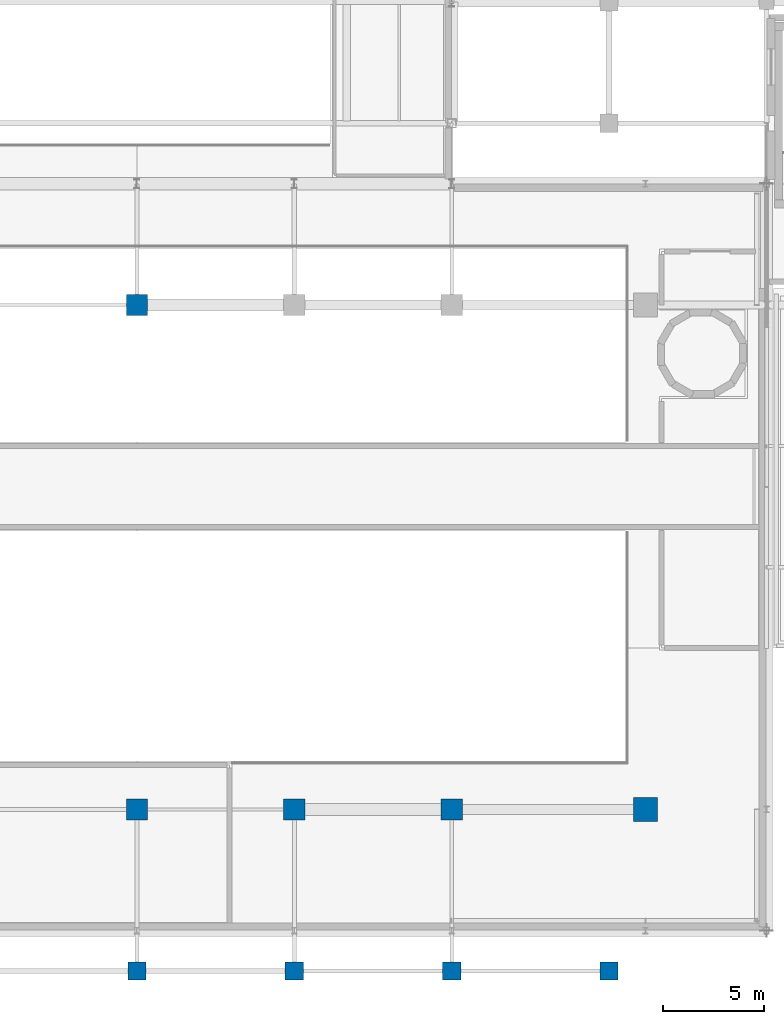
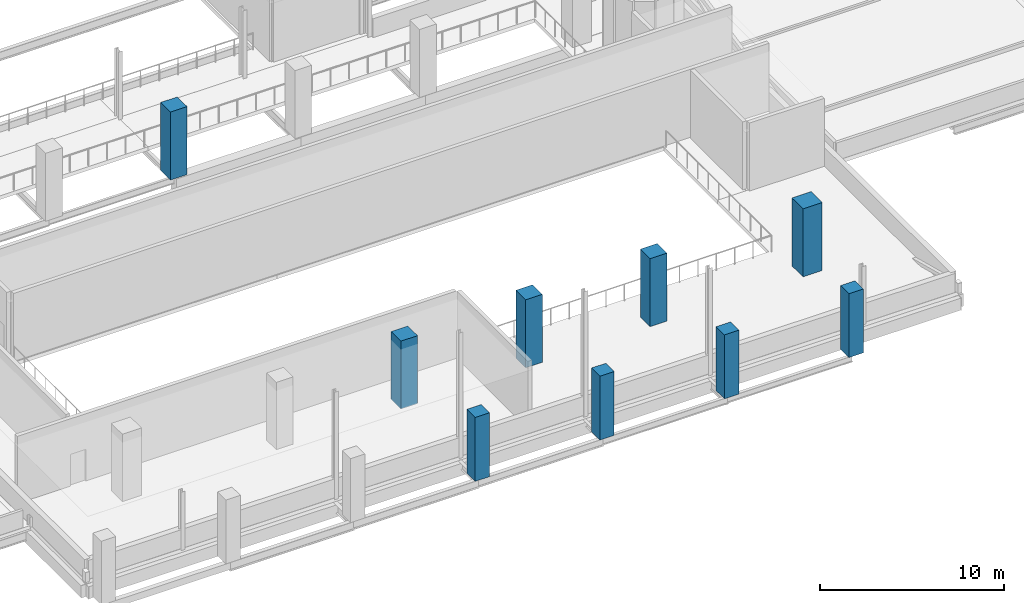
# One storey, part 4 of 85: 9 columns.
"""IFC4 building model written with IfcOpenShell, lengths in metres."""

from ifc_helpers import new_model, si_unit, derived_unit, direction, frame, origin, origin_2d, place, context, subcontext, project, spatial, rectangle, extrude, material, material_profile, profile_set, type_object, element, save


model = new_model("IFC4")

# Units and contexts
model_context = context("Model", 3, precision=1e-05, world=origin(), true_north=direction((0.0, 1.0)))
body_context = subcontext(model_context, "Body", "Model", "MODEL_VIEW")
ifc_project = project(units=[si_unit("LENGTHUNIT", "METRE"), si_unit("AREAUNIT", "SQUARE_METRE"), si_unit("VOLUMEUNIT", "CUBIC_METRE"), si_unit("PLANEANGLEUNIT", "RADIAN"), si_unit("MASSUNIT", "GRAM", prefix="KILO"), derived_unit("THERMALTRANSMITTANCEUNIT", [(si_unit("POWERUNIT", "WATT"), 1), (si_unit("LENGTHUNIT", "METRE"), -2), (si_unit("THERMODYNAMICTEMPERATUREUNIT", "KELVIN"), -1)])], contexts=[model_context])

# Site, building, storey
site_placement = place(None, origin())
site = spatial("IfcSite", under=ifc_project, at=site_placement, CompositionType="ELEMENT")
building_placement = place(site_placement, origin())
building = spatial("IfcBuilding", under=site, at=building_placement, Name="Nallur Shell Playhouse", CompositionType="ELEMENT")
storey_placement = place(building_placement, frame((0.0, 0.0, 19.800048828125)))
storey = spatial("IfcBuildingStorey", under=building, at=storey_placement, Name="L05", CompositionType="ELEMENT", Elevation=19.800048828125)

# Columns
ifc_material_1 = material(Name="Concrete M45", Category="concrete")
ifc_material_profile_1 = material_profile(ifc_material_1, rectangle(XDim=1.050048828125, YDim=1.050048828125, at=origin_2d()), Name="RC 1050x1050")
ifc_profile_set_1 = profile_set([ifc_material_profile_1], Name="Concrete M45")
column_type_1 = type_object("IfcColumnType", Name="CL-RC-1050", PredefinedType="COLUMN", material=ifc_profile_set_1)
for number, where, z_axis, x_axis, name in (
    (1, (87.39990234375, 16.0, 0.0), (0.0, 0.0, 1.0), (1.0, 0.0, 0.0), "Column MC3S (L05)"),
    (2, (87.39990234375, 41.0, 0.0), (0.0, 0.0, 1.0), (1.0, 0.0, 0.0), "Column MC3N (L05)"),
    (3, (95.199951171875, 16.0, 0.0), (0.0, 0.0, 1.0), (1.0, 0.0, 0.0), "Column MC4S (L05)"),
    (4, (103.0, 16.0, 0.0), (0.0, 0.0, 1.0), (1.0, 0.0, 0.0), "Column MC5S (L05)"),
):
    element("IfcColumn", number, at=place(storey_placement, frame(where, z_axis=z_axis, x_axis=x_axis)), inside=storey, type_object=column_type_1, Name=name, PredefinedType="COLUMN", context=body_context, shape_type="SweptSolid", body=[
        extrude(rectangle(XDim=1.050048828125, YDim=1.050048828125, at=origin_2d()), origin(), (0.0, 0.0, 1.0), 4.5),
    ])
ifc_material_profile_2 = material_profile(ifc_material_1, rectangle(XDim=1.199951171875, YDim=1.199951171875, at=origin_2d()), Name="RC 1200x1200")
ifc_profile_set_2 = profile_set([ifc_material_profile_2], Name="Concrete M45")
column_type_2 = type_object("IfcColumnType", Name="CL-RC-1200", PredefinedType="COLUMN", material=ifc_profile_set_2)
column_placement = place(storey_placement, frame((112.60009765625, 16.0, 0.0), z_axis=(0.0, 0.0, 1.0), x_axis=(1.0, 0.0, 0.0)))
element("IfcColumn", 5, at=column_placement, inside=storey, type_object=column_type_2, Name="Column MC6S (L05)", PredefinedType="COLUMN", context=body_context, shape_type="SweptSolid", body=[
    extrude(rectangle(XDim=1.199951171875, YDim=1.199951171875, at=origin_2d()), origin(), (0.0, 0.0, 1.0), 4.5),
])
ifc_material_2 = material(Name="Concrete M40", Category="concrete")
ifc_material_profile_3 = material_profile(ifc_material_2, rectangle(XDim=0.89990234375, YDim=0.89990234375, at=origin_2d()), Name="RC 900x900")
ifc_profile_set_3 = profile_set([ifc_material_profile_3], Name="Concrete M40")
column_type_3 = type_object("IfcColumnType", Name="CL-RC-900", PredefinedType="COLUMN", material=ifc_profile_set_3)
for number, where, z_axis, x_axis, name in (
    (6, (87.39990234375, 8.0, 0.0), (0.0, 0.0, 1.0), (1.0, 0.0, 0.0), "Column 11-A (L05)"),
    (7, (95.199951171875, 8.0, 0.0), (0.0, 0.0, 1.0), (1.0, 0.0, 0.0), "Column 12-A (L05)"),
    (8, (103.0, 8.0, 0.0), (0.0, 0.0, 1.0), (1.0, 0.0, 0.0), "Column 13-A (L05)"),
    (9, (110.800048828125, 8.0, 0.0), (0.0, 0.0, 1.0), (1.0, 0.0, 0.0), "Column 14-A (L05)"),
):
    element("IfcColumn", number, at=place(storey_placement, frame(where, z_axis=z_axis, x_axis=x_axis)), inside=storey, type_object=column_type_3, Name=name, PredefinedType="COLUMN", context=body_context, shape_type="SweptSolid", body=[
        extrude(rectangle(XDim=0.89990234375, YDim=0.89990234375, at=origin_2d()), origin(), (0.0, 0.0, 1.0), 4.22998046875),
    ])

save(model, "model.ifc")
